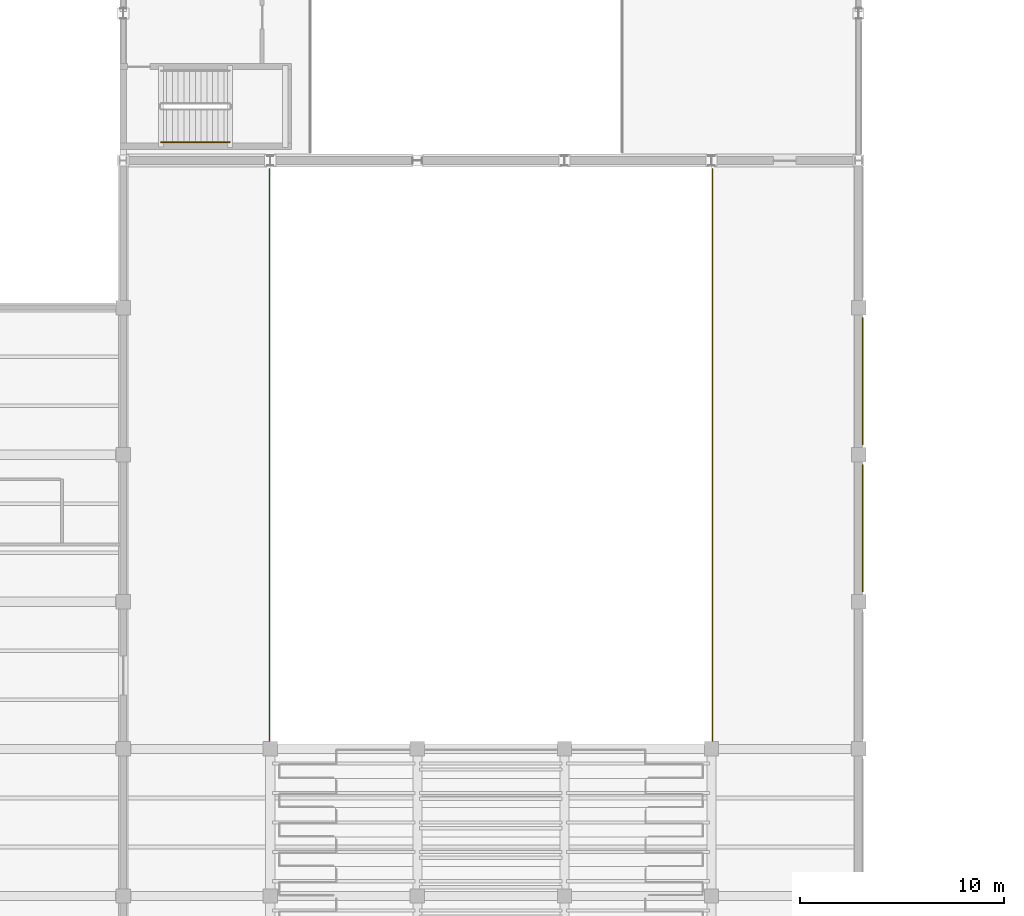
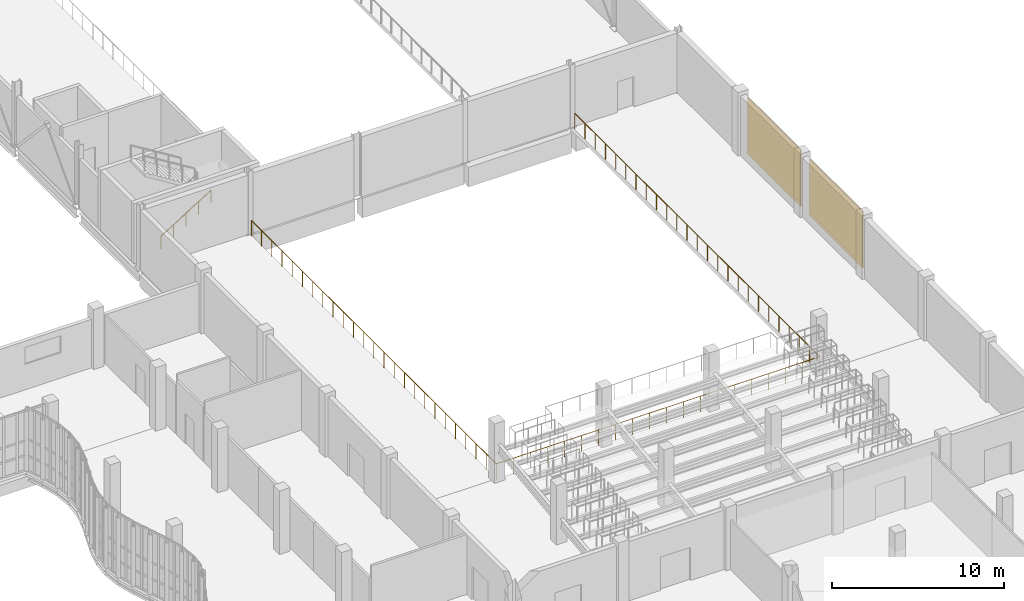
# One storey, part 103 of 108: 2 coverings, 2 railings.
"""IFC4 building model written with IfcOpenShell, lengths in metres."""

from ifc_helpers import new_model, si_unit, direction, frame, origin, origin_2d, place, context, subcontext, project, spatial, rectangle, circle, extrude, material, layer, layer_set, type_object, element, save


model = new_model("IFC4")

# Units and contexts
model_context = context("Model", 3, precision=1e-05, world=origin(), true_north=direction((0.0, 1.0)))
body_context = subcontext(model_context, "Body", "Model", "MODEL_VIEW")
ifc_project = project(units=[si_unit("LENGTHUNIT", "METRE"), si_unit("AREAUNIT", "SQUARE_METRE"), si_unit("VOLUMEUNIT", "CUBIC_METRE"), si_unit("PLANEANGLEUNIT", "RADIAN"), si_unit("MASSUNIT", "GRAM", prefix="KILO"), si_unit("THERMODYNAMICTEMPERATUREUNIT", "KELVIN"), si_unit("POWERUNIT", "WATT")], contexts=[model_context])

# Site, building, storey
site_placement = place(None, origin())
site = spatial("IfcSite", under=ifc_project, at=site_placement, CompositionType="ELEMENT")
building_placement = place(site_placement, origin())
building = spatial("IfcBuilding", under=site, at=building_placement, Name="Kaldorven Railside Theatre", CompositionType="ELEMENT")
storey_placement = place(building_placement, frame((0.0, 0.0, 5.39990234375)))
storey = spatial("IfcBuildingStorey", under=building, at=storey_placement, Name="L01", CompositionType="ELEMENT", Elevation=5.39990234375)

# Coverings
ifc_material_1 = material(Name="Bush-hammered precast concrete C40/50", Category="concrete")
ifc_layer = layer(ifc_material_1, 0.050048828125, Name="Bush-hammered precast concrete C40/50")
ifc_layer_set = layer_set([ifc_layer], Name="Bush-hammered precast concrete C40/50")
covering_type = type_object("IfcCoveringType", Name="COV-CLD-01", PredefinedType="CLADDING", material=ifc_layer_set)
for number, where, z_axis, x_axis, name in (
    (1, (123.410888671875, 73.199951171875, 0.10009765625), (0.0, 0.0, 1.0), (0.0, -1.0, 0.0), "Bush-Hammered Laterite Rainscreen Panel CLD-008"),
    (2, (123.410888671875, 66.0, 0.10009765625), (0.0, 0.0, 1.0), (0.0, -1.0, 0.0), "Bush-Hammered Laterite Rainscreen Panel CLD-009"),
):
    element("IfcCovering", number, at=place(storey_placement, frame(where, z_axis=z_axis, x_axis=x_axis)), inside=storey, type_object=covering_type, Name=name, PredefinedType="CLADDING", context=body_context, shape_type="SweptSolid", body=[
        extrude(rectangle(XDim=6.199951171875, YDim=0.050048828125, at=origin_2d()), origin(), (0.0, 0.0, 1.0), 4.02001953125),
    ])

# Railings
ifc_material_2 = material(Name="Anodised bronze aluminium", Category="aluminium")
railing_type_1 = type_object("IfcRailingType", Name="RLG-BAL-1100", PredefinedType="BALUSTRADE", material=ifc_material_2)
railing_1_placement = place(storey_placement, frame((94.360107421875, 83.59521484375, 0.0)))
element("IfcRailing", 3, at=railing_1_placement, inside=storey, type_object=railing_type_1, Name="L01 Safety Balustrade GR-039", PredefinedType="BALUSTRADE", context=body_context, shape_type="SweptSolid", body=[
    extrude(circle(Radius=0.02392578125, at=origin_2d()), frame((0.0, 0.0, 1.09619140625), z_axis=(0.0, -1.0, 0.0), x_axis=(1.0, 0.0, 0.0)), (0.0, 0.0, 1.0), 28.435302734375),
    extrude(circle(Radius=0.02392578125, at=origin_2d()), frame((0.0, -28.435302734375, 1.09619140625), z_axis=(1.0, 0.0, 0.0), x_axis=(0.0, 1.0, 0.0)), (0.0, 0.0, 1.0), 21.679931640625),
    extrude(circle(Radius=0.02392578125, at=origin_2d()), frame((21.679931640625, -28.435302734375, 1.09619140625), z_axis=(0.0, 1.0, 0.0), x_axis=(-1.0, 0.0, 0.0)), (0.0, 0.0, 1.0), 28.435302734375),
    extrude(circle(Radius=0.02099609375, at=origin_2d()), origin(), (0.0, 0.0, 1.0), 1.072021484375),
    extrude(circle(Radius=0.02099609375, at=origin_2d()), frame((0.0, -1.184814453125, 0.0)), (0.0, 0.0, 1.0), 1.072021484375),
    extrude(circle(Radius=0.02099609375, at=origin_2d()), frame((0.0, -2.36962890625, 0.0)), (0.0, 0.0, 1.0), 1.072021484375),
    extrude(circle(Radius=0.02099609375, at=origin_2d()), frame((0.0, -3.554443359375, 0.0)), (0.0, 0.0, 1.0), 1.072021484375),
    extrude(circle(Radius=0.02099609375, at=origin_2d()), frame((0.0, -4.7392578125, 0.0)), (0.0, 0.0, 1.0), 1.072021484375),
    extrude(circle(Radius=0.02099609375, at=origin_2d()), frame((0.0, -5.924072265625, 0.0)), (0.0, 0.0, 1.0), 1.072021484375),
    extrude(circle(Radius=0.02099609375, at=origin_2d()), frame((0.0, -7.10888671875, 0.0)), (0.0, 0.0, 1.0), 1.072021484375),
    extrude(circle(Radius=0.02099609375, at=origin_2d()), frame((0.0, -8.293701171875, 0.0)), (0.0, 0.0, 1.0), 1.072021484375),
    extrude(circle(Radius=0.02099609375, at=origin_2d()), frame((0.0, -9.478515625, 0.0)), (0.0, 0.0, 1.0), 1.072021484375),
    extrude(circle(Radius=0.02099609375, at=origin_2d()), frame((0.0, -10.663330078125, 0.0)), (0.0, 0.0, 1.0), 1.072021484375),
    extrude(circle(Radius=0.02099609375, at=origin_2d()), frame((0.0, -11.84814453125, 0.0)), (0.0, 0.0, 1.0), 1.072021484375),
    extrude(circle(Radius=0.02099609375, at=origin_2d()), frame((0.0, -13.032958984375, 0.0)), (0.0, 0.0, 1.0), 1.072021484375),
    extrude(circle(Radius=0.02099609375, at=origin_2d()), frame((0.0, -14.2177734375, 0.0)), (0.0, 0.0, 1.0), 1.072021484375),
    extrude(circle(Radius=0.02099609375, at=origin_2d()), frame((0.0, -15.40234375, 0.0)), (0.0, 0.0, 1.0), 1.072021484375),
    extrude(circle(Radius=0.02099609375, at=origin_2d()), frame((0.0, -16.587158203125, 0.0)), (0.0, 0.0, 1.0), 1.072021484375),
    extrude(circle(Radius=0.02099609375, at=origin_2d()), frame((0.0, -17.77197265625, 0.0)), (0.0, 0.0, 1.0), 1.072021484375),
    extrude(circle(Radius=0.02099609375, at=origin_2d()), frame((0.0, -18.956787109375, 0.0)), (0.0, 0.0, 1.0), 1.072021484375),
    extrude(circle(Radius=0.02099609375, at=origin_2d()), frame((0.0, -20.1416015625, 0.0)), (0.0, 0.0, 1.0), 1.072021484375),
    extrude(circle(Radius=0.02099609375, at=origin_2d()), frame((0.0, -21.326416015625, 0.0)), (0.0, 0.0, 1.0), 1.072021484375),
    extrude(circle(Radius=0.02099609375, at=origin_2d()), frame((0.0, -22.51123046875, 0.0)), (0.0, 0.0, 1.0), 1.072021484375),
    extrude(circle(Radius=0.02099609375, at=origin_2d()), frame((0.0, -23.696044921875, 0.0)), (0.0, 0.0, 1.0), 1.072021484375),
    extrude(circle(Radius=0.02099609375, at=origin_2d()), frame((0.0, -24.880859375, 0.0)), (0.0, 0.0, 1.0), 1.072021484375),
    extrude(circle(Radius=0.02099609375, at=origin_2d()), frame((0.0, -26.065673828125, 0.0)), (0.0, 0.0, 1.0), 1.072021484375),
    extrude(circle(Radius=0.02099609375, at=origin_2d()), frame((0.0, -27.25048828125, 0.0)), (0.0, 0.0, 1.0), 1.072021484375),
    extrude(circle(Radius=0.02099609375, at=origin_2d()), frame((0.0, -28.435302734375, 0.0)), (0.0, 0.0, 1.0), 1.072021484375),
    extrude(circle(Radius=0.02099609375, at=origin_2d()), frame((1.14111328125, -28.435302734375, 0.0)), (0.0, 0.0, 1.0), 1.072021484375),
    extrude(circle(Radius=0.02099609375, at=origin_2d()), frame((2.281982421875, -28.435302734375, 0.0)), (0.0, 0.0, 1.0), 1.072021484375),
    extrude(circle(Radius=0.02099609375, at=origin_2d()), frame((3.423095703125, -28.435302734375, 0.0)), (0.0, 0.0, 1.0), 1.072021484375),
    extrude(circle(Radius=0.02099609375, at=origin_2d()), frame((4.564208984375, -28.435302734375, 0.0)), (0.0, 0.0, 1.0), 1.072021484375),
    extrude(circle(Radius=0.02099609375, at=origin_2d()), frame((5.705322265625, -28.435302734375, 0.0)), (0.0, 0.0, 1.0), 1.072021484375),
    extrude(circle(Radius=0.02099609375, at=origin_2d()), frame((6.84619140625, -28.435302734375, 0.0)), (0.0, 0.0, 1.0), 1.072021484375),
    extrude(circle(Radius=0.02099609375, at=origin_2d()), frame((7.9873046875, -28.435302734375, 0.0)), (0.0, 0.0, 1.0), 1.072021484375),
    extrude(circle(Radius=0.02099609375, at=origin_2d()), frame((9.12841796875, -28.435302734375, 0.0)), (0.0, 0.0, 1.0), 1.072021484375),
    extrude(circle(Radius=0.02099609375, at=origin_2d()), frame((10.26953125, -28.435302734375, 0.0)), (0.0, 0.0, 1.0), 1.072021484375),
    extrude(circle(Radius=0.02099609375, at=origin_2d()), frame((11.410400390625, -28.435302734375, 0.0)), (0.0, 0.0, 1.0), 1.072021484375),
    extrude(circle(Radius=0.02099609375, at=origin_2d()), frame((12.551513671875, -28.435302734375, 0.0)), (0.0, 0.0, 1.0), 1.072021484375),
    extrude(circle(Radius=0.02099609375, at=origin_2d()), frame((13.692626953125, -28.435302734375, 0.0)), (0.0, 0.0, 1.0), 1.072021484375),
    extrude(circle(Radius=0.02099609375, at=origin_2d()), frame((14.833740234375, -28.435302734375, 0.0)), (0.0, 0.0, 1.0), 1.072021484375),
    extrude(circle(Radius=0.02099609375, at=origin_2d()), frame((15.974609375, -28.435302734375, 0.0)), (0.0, 0.0, 1.0), 1.072021484375),
    extrude(circle(Radius=0.02099609375, at=origin_2d()), frame((17.11572265625, -28.435302734375, 0.0)), (0.0, 0.0, 1.0), 1.072021484375),
    extrude(circle(Radius=0.02099609375, at=origin_2d()), frame((18.2568359375, -28.435302734375, 0.0)), (0.0, 0.0, 1.0), 1.072021484375),
    extrude(circle(Radius=0.02099609375, at=origin_2d()), frame((19.39794921875, -28.435302734375, 0.0)), (0.0, 0.0, 1.0), 1.072021484375),
    extrude(circle(Radius=0.02099609375, at=origin_2d()), frame((20.538818359375, -28.435302734375, 0.0)), (0.0, 0.0, 1.0), 1.072021484375),
    extrude(circle(Radius=0.02099609375, at=origin_2d()), frame((21.679931640625, -28.435302734375, 0.0)), (0.0, 0.0, 1.0), 1.072021484375),
    extrude(circle(Radius=0.02099609375, at=origin_2d()), frame((21.679931640625, -27.25048828125, 0.0)), (0.0, 0.0, 1.0), 1.072021484375),
    extrude(circle(Radius=0.02099609375, at=origin_2d()), frame((21.679931640625, -26.065673828125, 0.0)), (0.0, 0.0, 1.0), 1.072021484375),
    extrude(circle(Radius=0.02099609375, at=origin_2d()), frame((21.679931640625, -24.880859375, 0.0)), (0.0, 0.0, 1.0), 1.072021484375),
    extrude(circle(Radius=0.02099609375, at=origin_2d()), frame((21.679931640625, -23.696044921875, 0.0)), (0.0, 0.0, 1.0), 1.072021484375),
    extrude(circle(Radius=0.02099609375, at=origin_2d()), frame((21.679931640625, -22.51123046875, 0.0)), (0.0, 0.0, 1.0), 1.072021484375),
    extrude(circle(Radius=0.02099609375, at=origin_2d()), frame((21.679931640625, -21.326416015625, 0.0)), (0.0, 0.0, 1.0), 1.072021484375),
    extrude(circle(Radius=0.02099609375, at=origin_2d()), frame((21.679931640625, -20.1416015625, 0.0)), (0.0, 0.0, 1.0), 1.072021484375),
    extrude(circle(Radius=0.02099609375, at=origin_2d()), frame((21.679931640625, -18.956787109375, 0.0)), (0.0, 0.0, 1.0), 1.072021484375),
    extrude(circle(Radius=0.02099609375, at=origin_2d()), frame((21.679931640625, -17.77197265625, 0.0)), (0.0, 0.0, 1.0), 1.072021484375),
    extrude(circle(Radius=0.02099609375, at=origin_2d()), frame((21.679931640625, -16.587158203125, 0.0)), (0.0, 0.0, 1.0), 1.072021484375),
    extrude(circle(Radius=0.02099609375, at=origin_2d()), frame((21.679931640625, -15.40234375, 0.0)), (0.0, 0.0, 1.0), 1.072021484375),
    extrude(circle(Radius=0.02099609375, at=origin_2d()), frame((21.679931640625, -14.2177734375, 0.0)), (0.0, 0.0, 1.0), 1.072021484375),
    extrude(circle(Radius=0.02099609375, at=origin_2d()), frame((21.679931640625, -13.032958984375, 0.0)), (0.0, 0.0, 1.0), 1.072021484375),
    extrude(circle(Radius=0.02099609375, at=origin_2d()), frame((21.679931640625, -11.84814453125, 0.0)), (0.0, 0.0, 1.0), 1.072021484375),
    extrude(circle(Radius=0.02099609375, at=origin_2d()), frame((21.679931640625, -10.663330078125, 0.0)), (0.0, 0.0, 1.0), 1.072021484375),
    extrude(circle(Radius=0.02099609375, at=origin_2d()), frame((21.679931640625, -9.478515625, 0.0)), (0.0, 0.0, 1.0), 1.072021484375),
    extrude(circle(Radius=0.02099609375, at=origin_2d()), frame((21.679931640625, -8.293701171875, 0.0)), (0.0, 0.0, 1.0), 1.072021484375),
    extrude(circle(Radius=0.02099609375, at=origin_2d()), frame((21.679931640625, -7.10888671875, 0.0)), (0.0, 0.0, 1.0), 1.072021484375),
    extrude(circle(Radius=0.02099609375, at=origin_2d()), frame((21.679931640625, -5.924072265625, 0.0)), (0.0, 0.0, 1.0), 1.072021484375),
    extrude(circle(Radius=0.02099609375, at=origin_2d()), frame((21.679931640625, -4.7392578125, 0.0)), (0.0, 0.0, 1.0), 1.072021484375),
    extrude(circle(Radius=0.02099609375, at=origin_2d()), frame((21.679931640625, -3.554443359375, 0.0)), (0.0, 0.0, 1.0), 1.072021484375),
    extrude(circle(Radius=0.02099609375, at=origin_2d()), frame((21.679931640625, -2.36962890625, 0.0)), (0.0, 0.0, 1.0), 1.072021484375),
    extrude(circle(Radius=0.02099609375, at=origin_2d()), frame((21.679931640625, -1.184814453125, 0.0)), (0.0, 0.0, 1.0), 1.072021484375),
    extrude(circle(Radius=0.02099609375, at=origin_2d()), frame((21.679931640625, 0.0, 0.0)), (0.0, 0.0, 1.0), 1.072021484375),
])
ifc_material_3 = material(Name="Steel S355", Category="steel")
railing_type_2 = type_object("IfcRailingType", Name="RLG-STH-900", PredefinedType="HANDRAIL", material=ifc_material_3)
railing_2_placement = place(storey_placement, frame((89.050048828125, 84.89990234375, 0.173095703125)))
element("IfcRailing", 4, at=railing_2_placement, inside=storey, type_object=railing_type_2, Name="L01 ST-05 stair handrail 1", PredefinedType="HANDRAIL", context=body_context, shape_type="SweptSolid", body=[
    extrude(circle(Radius=0.02392578125, at=origin_2d()), frame((0.0, 0.0, 0.8759765625), z_axis=(0.850606129759, 0.0, 0.525803396734), x_axis=(0.0, 1.0, 0.0)), (0.0, 0.0, 1.0), 3.949951171875),
    extrude(circle(Radius=0.02099609375, at=origin_2d()), origin(), (0.0, 0.0, 1.0), 0.851806640625),
    extrude(circle(Radius=0.02099609375, at=origin_2d()), frame((0.83984375, 0.0, 0.519287109375)), (0.0, 0.0, 1.0), 0.851806640625),
    extrude(circle(Radius=0.02099609375, at=origin_2d()), frame((1.679931640625, 0.0, 1.03857421875)), (0.0, 0.0, 1.0), 0.851806640625),
    extrude(circle(Radius=0.02099609375, at=origin_2d()), frame((2.52001953125, 0.0, 1.5576171875)), (0.0, 0.0, 1.0), 0.851806640625),
    extrude(circle(Radius=0.02099609375, at=origin_2d()), frame((3.35986328125, 0.0, 2.076904296875)), (0.0, 0.0, 1.0), 0.851806640625),
])

save(model, "model.ifc")
